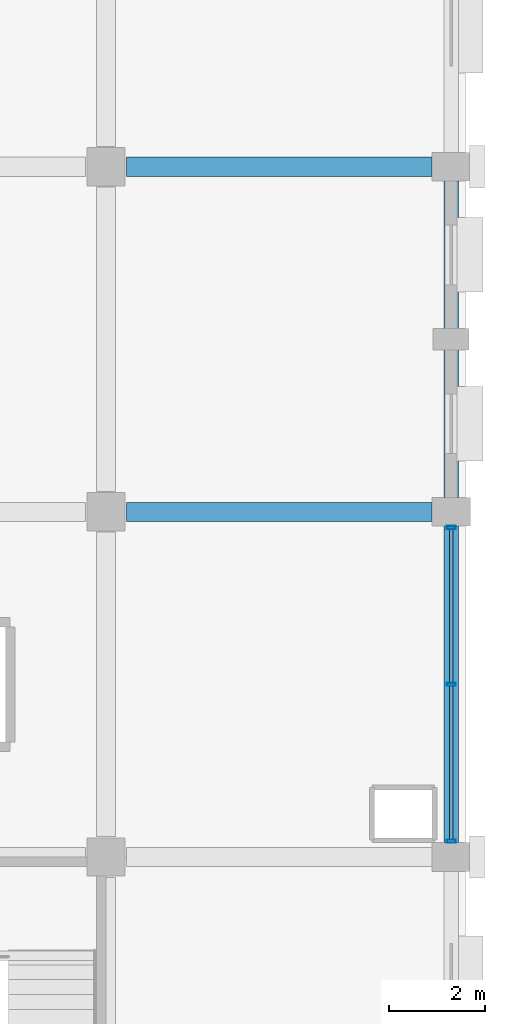
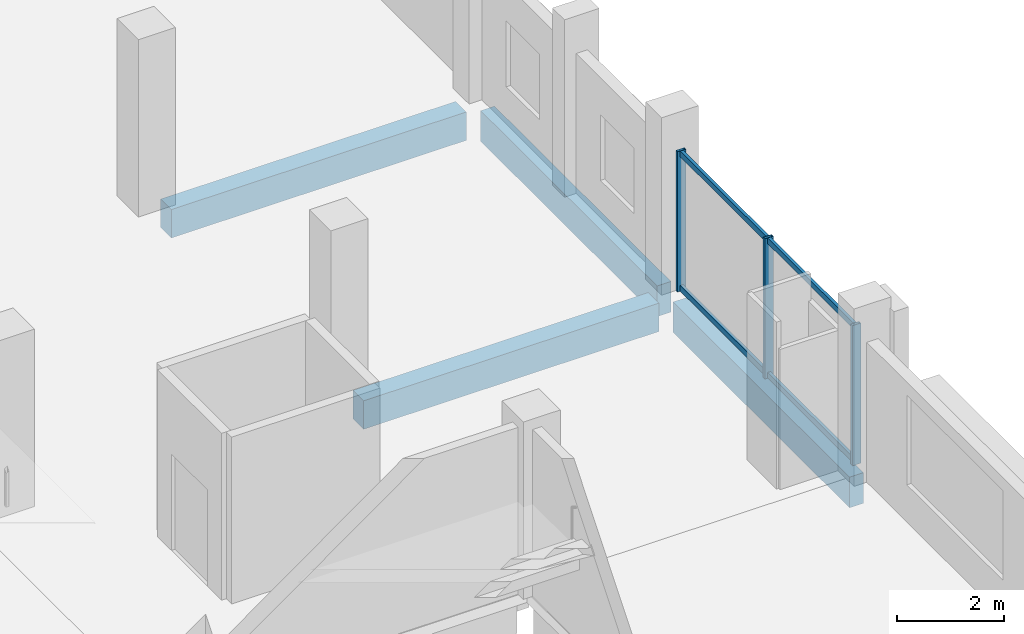
# One storey, part 64 of 107: 7 members, 4 beams, 1 element without a shape of its own.
"""IFC4 building model written with IfcOpenShell, lengths in metres."""

from ifc_helpers import new_model, si_unit, direction, frame, origin, origin_2d, place, context, subcontext, project, spatial, rectangle, hollow_rectangle, extrude, material, layer, layer_set, material_profile, profile_set, type_object, element, aggregate, save


model = new_model("IFC4")

# Units and contexts
model_context = context("Model", 3, precision=1e-05, world=origin(), true_north=direction((0.0, 1.0)))
body_context = subcontext(model_context, "Body", "Model", "MODEL_VIEW")
ifc_project = project(units=[si_unit("LENGTHUNIT", "METRE"), si_unit("AREAUNIT", "SQUARE_METRE"), si_unit("VOLUMEUNIT", "CUBIC_METRE"), si_unit("PLANEANGLEUNIT", "RADIAN"), si_unit("MASSUNIT", "GRAM", prefix="KILO")], contexts=[model_context])

# Site, building, storey
site_placement = place(None, origin())
site = spatial("IfcSite", under=ifc_project, at=site_placement, CompositionType="ELEMENT")
building_placement = place(site_placement, origin())
building = spatial("IfcBuilding", under=site, at=building_placement, Name="Kangsadwip Square Police Headquarters", CompositionType="ELEMENT")
storey_placement = place(building_placement, frame((0.0, 0.0, 5.39990234375)))
storey = spatial("IfcBuildingStorey", under=building, at=storey_placement, Name="L01", CompositionType="ELEMENT", Elevation=5.39990234375)

# Curtain wall, members
ifc_material_1 = material(Name="Thermally broken anodised aluminium AW-6063-T6", Category="aluminium")
ifc_layer = layer(ifc_material_1, 0.159912109375)
ifc_layer_set = layer_set([ifc_layer], Name="Thermally broken anodised aluminium AW-6063-T6")
curtain_wall_type = type_object("IfcCurtainWallType", Name="UnitisedCw6610x3200", PredefinedType="NOTDEFINED", material=ifc_layer_set)
curtain_wall_placement = place(storey_placement, origin())
curtain_wall = element("IfcCurtainWall", 1, at=curtain_wall_placement, inside=storey, type_object=curtain_wall_type, Name="Curtain Wall CW-L01-1656-0651", PredefinedType="NOTDEFINED")
ifc_material_2 = material(Name="Thermally broken anodised aluminium AW-6063-T6", Category="aluminium")
ifc_material_profile_1 = material_profile(ifc_material_2, hollow_rectangle(XDim=0.06494140625, YDim=0.179931640625, WallThickness=0.00390625, at=origin_2d()), Name="CWM 180X65X4")
ifc_profile_set_1 = profile_set([ifc_material_profile_1], Name="Thermally broken anodised aluminium AW-6063-T6")
member_type_1 = type_object("IfcMemberType", Name="CwMullion160x65", PredefinedType="MULLION", material=ifc_profile_set_1)
member_1_placement = place(storey_placement, frame((165.60009765625, 65.12744140625, 0.0), z_axis=(0.0, 0.0, 1.0), x_axis=(0.0, 1.0, 0.0)))
member_1 = element("IfcMember", 2, at=member_1_placement, type_object=member_type_1, Name="CW-28 mullion 1", PredefinedType="MULLION", context=body_context, shape_type="SweptSolid", body=[
    extrude(hollow_rectangle(XDim=0.06494140625, YDim=0.179931640625, WallThickness=0.00390625, at=origin_2d()), origin(), (0.0, 0.0, 1.0), 3.2001953125),
])
member_2_placement = place(storey_placement, frame((165.60009765625, 68.39990234375, 0.0), z_axis=(0.0, 0.0, 1.0), x_axis=(0.0, 1.0, 0.0)))
member_2 = element("IfcMember", 3, at=member_2_placement, type_object=member_type_1, Name="CW-28 mullion 2", PredefinedType="MULLION", context=body_context, shape_type="SweptSolid", body=[
    extrude(hollow_rectangle(XDim=0.06494140625, YDim=0.179931640625, WallThickness=0.00390625, at=origin_2d()), origin(), (0.0, 0.0, 1.0), 3.2001953125),
])
member_3_placement = place(storey_placement, frame((165.60009765625, 71.672607421875, 0.0), z_axis=(0.0, 0.0, 1.0), x_axis=(0.0, 1.0, 0.0)))
member_3 = element("IfcMember", 4, at=member_3_placement, type_object=member_type_1, Name="CW-28 mullion 3", PredefinedType="MULLION", context=body_context, shape_type="SweptSolid", body=[
    extrude(hollow_rectangle(XDim=0.06494140625, YDim=0.179931640625, WallThickness=0.00390625, at=origin_2d()), origin(), (0.0, 0.0, 1.0), 3.2001953125),
])
ifc_material_3 = material(Name="Thermally broken anodised aluminium AW-6063-T6", Category="aluminium")
ifc_material_profile_2 = material_profile(ifc_material_3, hollow_rectangle(XDim=0.06494140625, YDim=0.1298828125, WallThickness=0.00390625, at=origin_2d()), Name="CWT 130X65X4")
ifc_profile_set_2 = profile_set([ifc_material_profile_2], Name="Thermally broken anodised aluminium AW-6063-T6")
member_type_2 = type_object("IfcMemberType", Name="CwTransom140x60", PredefinedType="USERDEFINED", material=ifc_profile_set_2)
member_4_placement = place(storey_placement, frame((165.60009765625, 65.159912109375, 0.065185546875), z_axis=(0.0, 1.0, 0.0), x_axis=(-1.0, 0.0, 0.0)))
member_4 = element("IfcMember", 5, at=member_4_placement, type_object=member_type_2, Name="CW-28 transom 1.1", ObjectType="TRANSOM", PredefinedType="USERDEFINED", context=body_context, shape_type="SweptSolid", body=[
    extrude(hollow_rectangle(XDim=0.06494140625, YDim=0.1298828125, WallThickness=0.00390625, at=origin_2d()), origin(), (0.0, 0.0, 1.0), 3.20751953125),
])
member_5_placement = place(storey_placement, frame((165.60009765625, 65.159912109375, 3.135009765625), z_axis=(0.0, 1.0, 0.0), x_axis=(-1.0, 0.0, 0.0)))
member_5 = element("IfcMember", 6, at=member_5_placement, type_object=member_type_2, Name="CW-28 transom 1.2", ObjectType="TRANSOM", PredefinedType="USERDEFINED", context=body_context, shape_type="SweptSolid", body=[
    extrude(hollow_rectangle(XDim=0.06494140625, YDim=0.1298828125, WallThickness=0.00390625, at=origin_2d()), origin(), (0.0, 0.0, 1.0), 3.20751953125),
])
member_6_placement = place(storey_placement, frame((165.60009765625, 68.4326171875, 0.065185546875), z_axis=(0.0, 1.0, 0.0), x_axis=(-1.0, 0.0, 0.0)))
member_6 = element("IfcMember", 7, at=member_6_placement, type_object=member_type_2, Name="CW-28 transom 2.1", ObjectType="TRANSOM", PredefinedType="USERDEFINED", context=body_context, shape_type="SweptSolid", body=[
    extrude(hollow_rectangle(XDim=0.06494140625, YDim=0.1298828125, WallThickness=0.00390625, at=origin_2d()), origin(), (0.0, 0.0, 1.0), 3.207275390625),
])
member_7_placement = place(storey_placement, frame((165.60009765625, 68.4326171875, 3.135009765625), z_axis=(0.0, 1.0, 0.0), x_axis=(-1.0, 0.0, 0.0)))
member_7 = element("IfcMember", 8, at=member_7_placement, type_object=member_type_2, Name="CW-28 transom 2.2", ObjectType="TRANSOM", PredefinedType="USERDEFINED", context=body_context, shape_type="SweptSolid", body=[
    extrude(hollow_rectangle(XDim=0.06494140625, YDim=0.1298828125, WallThickness=0.00390625, at=origin_2d()), origin(), (0.0, 0.0, 1.0), 3.207275390625),
])
aggregate(curtain_wall, [member_1, member_2, member_3, member_4, member_5, member_6, member_7])

# Beams
ifc_material_4 = material(Name="Concrete M35 (35 MPa)", Category="concrete")
ifc_material_profile_3 = material_profile(ifc_material_4, rectangle(XDim=0.39990234375, YDim=0.64990234375, at=origin_2d()), Name="RC BM 650X400")
ifc_profile_set_3 = profile_set([ifc_material_profile_3], Name="Concrete M35 (35 MPa)")
beam_type_1 = type_object("IfcBeamType", Name="RcBeam650x400", PredefinedType="BEAM", material=ifc_profile_set_3)
for number, where, z_axis, x_axis, name in (
    (9, (158.824951171875, 72.0, -0.56494140625), (1.0, 0.0, 0.0), (0.0, 1.0, 0.0), "Beam BM-L01-X-22-10"),
    (10, (158.824951171875, 79.199951171875, -0.56494140625), (1.0, 0.0, 0.0), (0.0, 1.0, 0.0), "Beam BM-L01-X-22-11"),
):
    element("IfcBeam", number, at=place(storey_placement, frame(where, z_axis=z_axis, x_axis=x_axis)), inside=storey, type_object=beam_type_1, Name=name, PredefinedType="BEAM", context=body_context, shape_type="SweptSolid", body=[
        extrude(rectangle(XDim=0.39990234375, YDim=0.64990234375, at=origin_2d()), origin(), (0.0, 0.0, 1.0), 6.375),
    ])
ifc_material_5 = material(Name="Concrete M40 (40 MPa)", Category="concrete")
ifc_material_profile_4 = material_profile(ifc_material_5, rectangle(XDim=0.300048828125, YDim=0.699951171875, at=origin_2d()), Name="RC SPN 700X300")
ifc_profile_set_4 = profile_set([ifc_material_profile_4], Name="Concrete M40 (40 MPa)")
beam_type_2 = type_object("IfcBeamType", Name="RcSpandrel700x300", PredefinedType="SPANDREL", material=ifc_profile_set_4)
for number, where, z_axis, x_axis, name in (
    (11, (165.60009765625, 65.10009765625, -0.58984375), (0.0, 1.0, 0.0), (-1.0, 0.0, 0.0), "Beam BM-L01-Y-23-09"),
    (12, (165.60009765625, 72.300048828125, -0.58984375), (0.0, 1.0, 0.0), (-1.0, 0.0, 0.0), "Beam BM-L01-Y-23-10"),
):
    element("IfcBeam", number, at=place(storey_placement, frame(where, z_axis=z_axis, x_axis=x_axis)), inside=storey, type_object=beam_type_2, Name=name, PredefinedType="SPANDREL", context=body_context, shape_type="SweptSolid", body=[
        extrude(rectangle(XDim=0.300048828125, YDim=0.699951171875, at=origin_2d()), origin(), (0.0, 0.0, 1.0), 6.599853515625),
    ])

save(model, "model.ifc")
